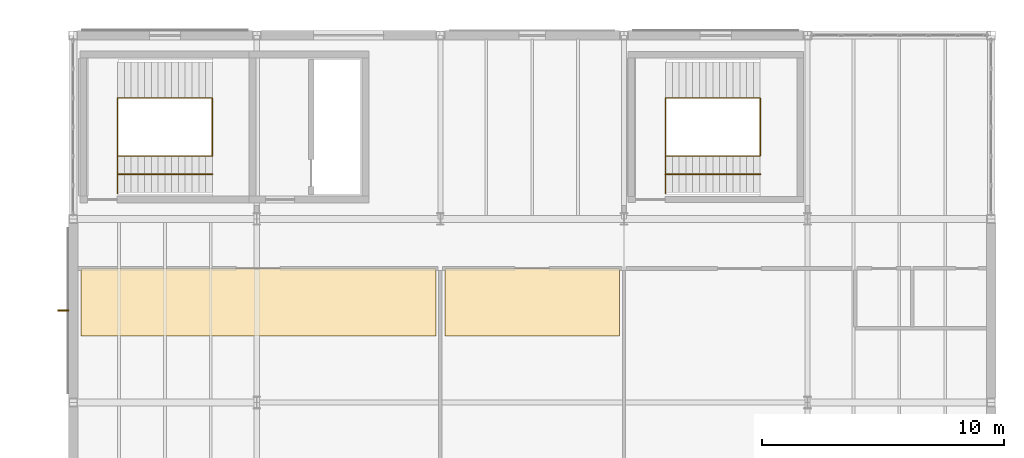
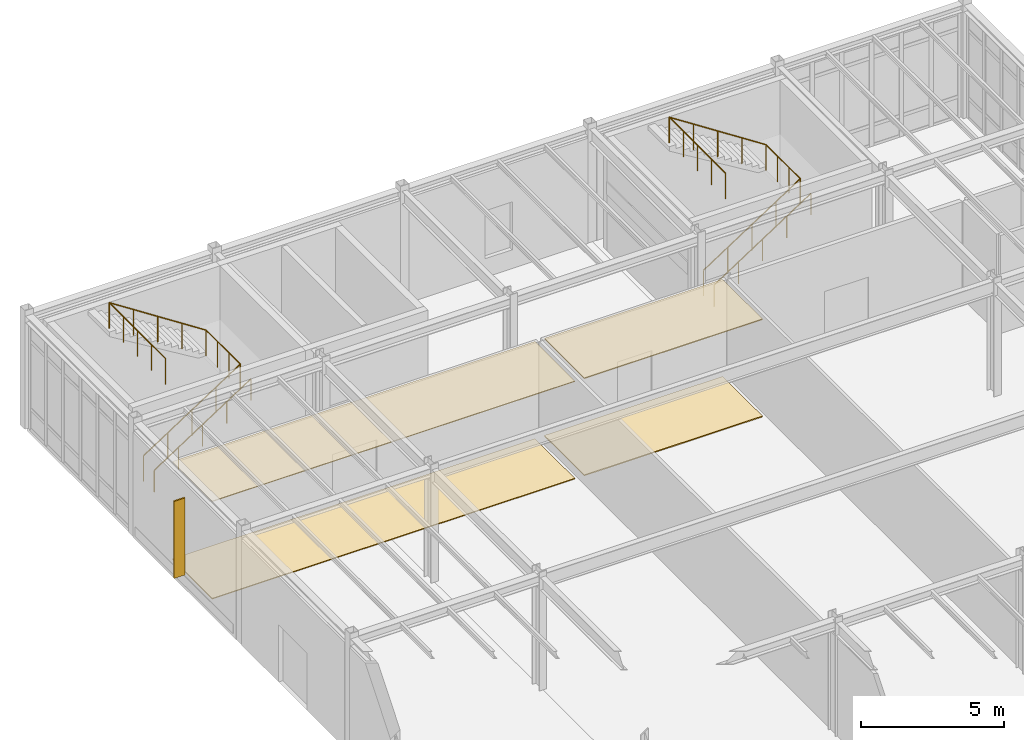
# One storey, part 102 of 109: 4 coverings, 4 railings, 1 shading device.
"""IFC4 building model written with IfcOpenShell, lengths in metres."""

from ifc_helpers import new_model, si_unit, direction, frame, origin, origin_2d, place, context, subcontext, project, spatial, polyline, rectangle, circle, outline, extrude, material, layer, layer_set, type_object, element, save


model = new_model("IFC4")

# Units and contexts
model_context = context("Model", 3, precision=1e-05, world=origin(), true_north=direction((0.0, 1.0)))
body_context = subcontext(model_context, "Body", "Model", "MODEL_VIEW")
ifc_project = project(units=[si_unit("LENGTHUNIT", "METRE"), si_unit("AREAUNIT", "SQUARE_METRE"), si_unit("VOLUMEUNIT", "CUBIC_METRE"), si_unit("PLANEANGLEUNIT", "RADIAN"), si_unit("MASSUNIT", "GRAM", prefix="KILO")], contexts=[model_context])

# Site, building, storey
site_placement = place(None, origin())
site = spatial("IfcSite", under=ifc_project, at=site_placement, CompositionType="ELEMENT")
building_placement = place(site_placement, origin())
building = spatial("IfcBuilding", under=site, at=building_placement, Name="Montecoro Central Library", CompositionType="ELEMENT")
storey_placement = place(building_placement, origin())
storey = spatial("IfcBuildingStorey", under=building, at=storey_placement, Name="L00", CompositionType="ELEMENT", Elevation=0.0)

# Coverings
ifc_material_1 = material(Name="Acoustic perforated mineral ceiling")
ifc_layer_1 = layer(ifc_material_1, 0.031982421875)
ifc_layer_set_1 = layer_set([ifc_layer_1], Name="Acoustic perforated mineral ceiling")
covering_type_1 = type_object("IfcCoveringType", Name="COV-CLG-02", PredefinedType="CEILING", material=ifc_layer_set_1)
covering_1_placement = place(storey_placement, frame((0.0, 0.0, 4.16796875)))
element("IfcCovering", 1, at=covering_1_placement, inside=storey, type_object=covering_type_1, Name="CLG-SP-V4-L00-R1P1", PredefinedType="CEILING", context=body_context, shape_type="SweptSolid", body=[
    extrude(outline(polyline([(5.320068359375, 98.949951171875), (20.010009765625, 98.949951171875), (20.010009765625, 101.75), (5.320068359375, 101.75), (5.320068359375, 98.949951171875)])), origin(), (0.0, 0.0, 1.0), 0.031982421875),
])
ifc_layer_2 = layer(ifc_material_1, 0.0400390625)
ifc_layer_set_2 = layer_set([ifc_layer_2], Name="Acoustic perforated mineral ceiling")
covering_type_2 = type_object("IfcCoveringType", Name="COV-CLG-03", PredefinedType="CEILING", material=ifc_layer_set_2)
covering_2_placement = place(storey_placement, frame((0.0, 0.0, 4.159912109375)))
element("IfcCovering", 2, at=covering_2_placement, inside=storey, type_object=covering_type_2, Name="CLG-SP-V4-L00-R2P1", PredefinedType="CEILING", context=body_context, shape_type="SweptSolid", body=[
    extrude(outline(polyline([(20.389892578125, 98.949951171875), (27.610107421875, 98.949951171875), (27.610107421875, 101.75), (20.389892578125, 101.75), (20.389892578125, 98.949951171875)])), origin(), (0.0, 0.0, 1.0), 0.0400390625),
])
ifc_material_2 = material(Name="Neapolitan brass-inlaid terrazzo flooring")
ifc_layer_3 = layer(ifc_material_2, 0.035888671875)
ifc_layer_set_3 = layer_set([ifc_layer_3], Name="Neapolitan brass-inlaid terrazzo flooring")
covering_type_3 = type_object("IfcCoveringType", Name="COV-FLR-02", PredefinedType="FLOORING", material=ifc_layer_set_3)
covering_3_placement = place(storey_placement, origin())
element("IfcCovering", 3, at=covering_3_placement, inside=storey, type_object=covering_type_3, Name="FLR-SP-V4-L00-R1P1", PredefinedType="FLOORING", context=body_context, shape_type="SweptSolid", body=[
    extrude(outline(polyline([(5.320068359375, 98.949951171875), (20.010009765625, 98.949951171875), (20.010009765625, 101.75), (5.320068359375, 101.75), (5.320068359375, 98.949951171875)])), origin(), (0.0, 0.0, 1.0), 0.035888671875),
])
ifc_layer_4 = layer(ifc_material_2, 0.0439453125)
ifc_layer_set_4 = layer_set([ifc_layer_4], Name="Neapolitan brass-inlaid terrazzo flooring")
covering_type_4 = type_object("IfcCoveringType", Name="COV-FLR-03", PredefinedType="FLOORING", material=ifc_layer_set_4)
covering_4_placement = place(storey_placement, origin())
element("IfcCovering", 4, at=covering_4_placement, inside=storey, type_object=covering_type_4, Name="FLR-SP-V4-L00-R2P1", PredefinedType="FLOORING", context=body_context, shape_type="SweptSolid", body=[
    extrude(outline(polyline([(20.389892578125, 98.949951171875), (27.610107421875, 98.949951171875), (27.610107421875, 101.75), (20.389892578125, 101.75), (20.389892578125, 98.949951171875)])), origin(), (0.0, 0.0, 1.0), 0.0439453125),
])

# Railings
ifc_material_3 = material(Name="Brushed stainless steel and bronze balustrade", Category="steel")
railing_type_1 = type_object("IfcRailingType", Name="GRD-INT-110", PredefinedType="GUARDRAIL", material=ifc_material_3)
railing_1_placement = place(storey_placement, frame((6.840087890625, 106.39990234375, 0.0)))
element("IfcRailing", 5, at=railing_1_placement, inside=storey, type_object=railing_type_1, Name="C5-L00-STR-GRD", PredefinedType="GUARDRAIL", context=body_context, shape_type="SweptSolid", body=[
    extrude(circle(Radius=0.02392578125, at=origin_2d()), frame((0.0, 0.0, 1.09619140625), z_axis=(0.838238398293, 0.0, 0.545303940594), x_axis=(0.0, 1.0, 0.0)), (0.0, 0.0, 1.0), 4.67626953125),
    extrude(circle(Radius=0.02392578125, at=origin_2d()), frame((3.919921875, 0.0, 3.64599609375), z_axis=(0.0, 1.0, 0.0), x_axis=(-1.0, 0.0, 0.0)), (0.0, 0.0, 1.0), 2.400146484375),
    extrude(circle(Radius=0.02392578125, at=origin_2d()), frame((3.919921875, 2.400146484375, 3.64599609375), z_axis=(-0.838238398293, 0.0, 0.545303940594), x_axis=(0.0, -1.0, 0.0)), (0.0, 0.0, 1.0), 4.67626953125),
    extrude(circle(Radius=0.02392578125, at=origin_2d()), frame((0.0, 2.400146484375, 6.1962890625), z_axis=(0.0, -1.0, 0.0), x_axis=(1.0, 0.0, 0.0)), (0.0, 0.0, 1.0), 3.949951171875),
    extrude(circle(Radius=0.02099609375, at=origin_2d()), origin(), (0.0, 0.0, 1.0), 1.072021484375),
    extrude(circle(Radius=0.02099609375, at=origin_2d()), frame((0.97998046875, 0.0, 0.637451171875)), (0.0, 0.0, 1.0), 1.072021484375),
    extrude(circle(Radius=0.02099609375, at=origin_2d()), frame((1.9599609375, 0.0, 1.27490234375)), (0.0, 0.0, 1.0), 1.072021484375),
    extrude(circle(Radius=0.02099609375, at=origin_2d()), frame((2.93994140625, 0.0, 1.91259765625)), (0.0, 0.0, 1.0), 1.072021484375),
    extrude(circle(Radius=0.02099609375, at=origin_2d()), frame((3.919921875, 0.0, 2.550048828125)), (0.0, 0.0, 1.0), 1.072021484375),
    extrude(circle(Radius=0.02099609375, at=origin_2d()), frame((3.919921875, 0.800048828125, 2.550048828125)), (0.0, 0.0, 1.0), 1.072021484375),
    extrude(circle(Radius=0.02099609375, at=origin_2d()), frame((3.919921875, 1.60009765625, 2.550048828125)), (0.0, 0.0, 1.0), 1.072021484375),
    extrude(circle(Radius=0.02099609375, at=origin_2d()), frame((3.919921875, 2.400146484375, 2.550048828125)), (0.0, 0.0, 1.0), 1.072021484375),
    extrude(circle(Radius=0.02099609375, at=origin_2d()), frame((2.93994140625, 2.400146484375, 3.1875)), (0.0, 0.0, 1.0), 1.072021484375),
    extrude(circle(Radius=0.02099609375, at=origin_2d()), frame((1.9599609375, 2.400146484375, 3.8251953125)), (0.0, 0.0, 1.0), 1.072021484375),
    extrude(circle(Radius=0.02099609375, at=origin_2d()), frame((0.97998046875, 2.400146484375, 4.462646484375)), (0.0, 0.0, 1.0), 1.072021484375),
    extrude(circle(Radius=0.02099609375, at=origin_2d()), frame((0.0, 2.400146484375, 5.10009765625)), (0.0, 0.0, 1.0), 1.072021484375),
    extrude(circle(Radius=0.02099609375, at=origin_2d()), frame((0.0, 1.41259765625, 5.10009765625)), (0.0, 0.0, 1.0), 1.072021484375),
    extrude(circle(Radius=0.02099609375, at=origin_2d()), frame((0.0, 0.42529296875, 5.10009765625)), (0.0, 0.0, 1.0), 1.072021484375),
    extrude(circle(Radius=0.02099609375, at=origin_2d()), frame((0.0, -0.562255859375, 5.10009765625)), (0.0, 0.0, 1.0), 1.072021484375),
    extrude(circle(Radius=0.02099609375, at=origin_2d()), frame((0.0, -1.5498046875, 5.10009765625)), (0.0, 0.0, 1.0), 1.072021484375),
])
railing_2_placement = place(storey_placement, frame((29.52001953125, 106.39990234375, 0.0)))
element("IfcRailing", 6, at=railing_2_placement, inside=storey, type_object=railing_type_1, Name="C9-L00-STR-GRD", PredefinedType="GUARDRAIL", context=body_context, shape_type="SweptSolid", body=[
    extrude(circle(Radius=0.02392578125, at=origin_2d()), frame((0.0, 0.0, 1.09619140625), z_axis=(0.838238398293, 0.0, 0.545303940594), x_axis=(0.0, 1.0, 0.0)), (0.0, 0.0, 1.0), 4.67626953125),
    extrude(circle(Radius=0.02392578125, at=origin_2d()), frame((3.919921875, 0.0, 3.64599609375), z_axis=(0.0, 1.0, 0.0), x_axis=(-1.0, 0.0, 0.0)), (0.0, 0.0, 1.0), 2.400146484375),
    extrude(circle(Radius=0.02392578125, at=origin_2d()), frame((3.919921875, 2.400146484375, 3.64599609375), z_axis=(-0.838238398293, 0.0, 0.545303940594), x_axis=(0.0, -1.0, 0.0)), (0.0, 0.0, 1.0), 4.67626953125),
    extrude(circle(Radius=0.02392578125, at=origin_2d()), frame((0.0, 2.400146484375, 6.1962890625), z_axis=(0.0, -1.0, 0.0), x_axis=(1.0, 0.0, 0.0)), (0.0, 0.0, 1.0), 3.949951171875),
    extrude(circle(Radius=0.02099609375, at=origin_2d()), origin(), (0.0, 0.0, 1.0), 1.072021484375),
    extrude(circle(Radius=0.02099609375, at=origin_2d()), frame((0.97998046875, 0.0, 0.637451171875)), (0.0, 0.0, 1.0), 1.072021484375),
    extrude(circle(Radius=0.02099609375, at=origin_2d()), frame((1.9599609375, 0.0, 1.27490234375)), (0.0, 0.0, 1.0), 1.072021484375),
    extrude(circle(Radius=0.02099609375, at=origin_2d()), frame((2.93994140625, 0.0, 1.91259765625)), (0.0, 0.0, 1.0), 1.072021484375),
    extrude(circle(Radius=0.02099609375, at=origin_2d()), frame((3.919921875, 0.0, 2.550048828125)), (0.0, 0.0, 1.0), 1.072021484375),
    extrude(circle(Radius=0.02099609375, at=origin_2d()), frame((3.919921875, 0.800048828125, 2.550048828125)), (0.0, 0.0, 1.0), 1.072021484375),
    extrude(circle(Radius=0.02099609375, at=origin_2d()), frame((3.919921875, 1.60009765625, 2.550048828125)), (0.0, 0.0, 1.0), 1.072021484375),
    extrude(circle(Radius=0.02099609375, at=origin_2d()), frame((3.919921875, 2.400146484375, 2.550048828125)), (0.0, 0.0, 1.0), 1.072021484375),
    extrude(circle(Radius=0.02099609375, at=origin_2d()), frame((2.93994140625, 2.400146484375, 3.1875)), (0.0, 0.0, 1.0), 1.072021484375),
    extrude(circle(Radius=0.02099609375, at=origin_2d()), frame((1.9599609375, 2.400146484375, 3.8251953125)), (0.0, 0.0, 1.0), 1.072021484375),
    extrude(circle(Radius=0.02099609375, at=origin_2d()), frame((0.97998046875, 2.400146484375, 4.462646484375)), (0.0, 0.0, 1.0), 1.072021484375),
    extrude(circle(Radius=0.02099609375, at=origin_2d()), frame((0.0, 2.400146484375, 5.10009765625)), (0.0, 0.0, 1.0), 1.072021484375),
    extrude(circle(Radius=0.02099609375, at=origin_2d()), frame((0.0, 1.41259765625, 5.10009765625)), (0.0, 0.0, 1.0), 1.072021484375),
    extrude(circle(Radius=0.02099609375, at=origin_2d()), frame((0.0, 0.42529296875, 5.10009765625)), (0.0, 0.0, 1.0), 1.072021484375),
    extrude(circle(Radius=0.02099609375, at=origin_2d()), frame((0.0, -0.562255859375, 5.10009765625)), (0.0, 0.0, 1.0), 1.072021484375),
    extrude(circle(Radius=0.02099609375, at=origin_2d()), frame((0.0, -1.5498046875, 5.10009765625)), (0.0, 0.0, 1.0), 1.072021484375),
])
ifc_material_4 = material(Name="Brushed architectural bronze handrail")
railing_type_2 = type_object("IfcRailingType", Name="HRL-STR-095", PredefinedType="HANDRAIL", material=ifc_material_4)
for number, where, name in (
    (7, (6.840087890625, 105.64990234375, 0.0), "C5-L00-STR-HR1"),
    (8, (29.52001953125, 105.64990234375, 0.0), "C9-L00-STR-HR1"),
):
    element("IfcRailing", number, at=place(storey_placement, frame(where)), inside=storey, type_object=railing_type_2, Name=name, PredefinedType="HANDRAIL", context=body_context, shape_type="SweptSolid", body=[
        extrude(circle(Radius=0.02392578125, at=origin_2d()), frame((0.0, 0.0, 0.92578125), z_axis=(0.838238398293, 0.0, 0.545303940594), x_axis=(0.0, 1.0, 0.0)), (0.0, 0.0, 1.0), 4.67626953125),
        extrude(circle(Radius=0.02099609375, at=origin_2d()), origin(), (0.0, 0.0, 1.0), 0.90185546875),
        extrude(circle(Radius=0.02099609375, at=origin_2d()), frame((0.97998046875, 0.0, 0.637451171875)), (0.0, 0.0, 1.0), 0.90185546875),
        extrude(circle(Radius=0.02099609375, at=origin_2d()), frame((1.9599609375, 0.0, 1.27490234375)), (0.0, 0.0, 1.0), 0.90185546875),
        extrude(circle(Radius=0.02099609375, at=origin_2d()), frame((2.93994140625, 0.0, 1.91259765625)), (0.0, 0.0, 1.0), 0.90185546875),
        extrude(circle(Radius=0.02099609375, at=origin_2d()), frame((3.919921875, 0.0, 2.550048828125)), (0.0, 0.0, 1.0), 0.90185546875),
    ])

# Shading device
ifc_material_5 = material(Name="Architectural bronze solar fin", Category="aluminium")
shading_device_type = type_object("IfcShadingDeviceType", Name="SHD-FIN-05", PredefinedType="USERDEFINED", material=ifc_material_5)
shading_device_placement = place(storey_placement, frame((4.589599609375, 100.0, 0.60009765625), z_axis=(0.0, 0.0, 1.0), x_axis=(0.0, -1.0, 0.0)))
element("IfcShadingDevice", 9, at=shading_device_placement, inside=storey, type_object=shading_device_type, Name="V4-L00-FIN-W3", ObjectType="SOLAR FIN", PredefinedType="USERDEFINED", context=body_context, shape_type="SweptSolid", body=[
    extrude(rectangle(XDim=0.06005859375, YDim=0.43994140625, at=origin_2d()), origin(), (0.0, 0.0, 1.0), 3.300048828125),
])

save(model, "model.ifc")
